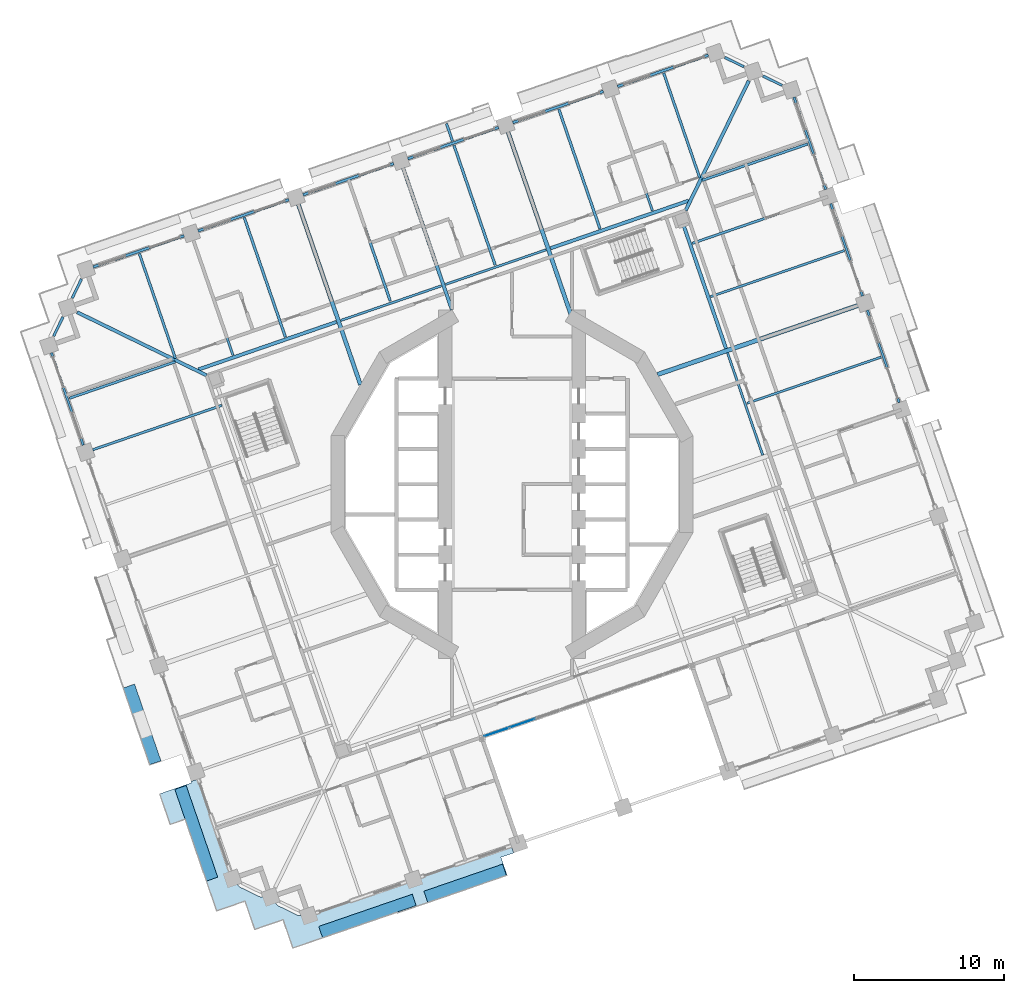
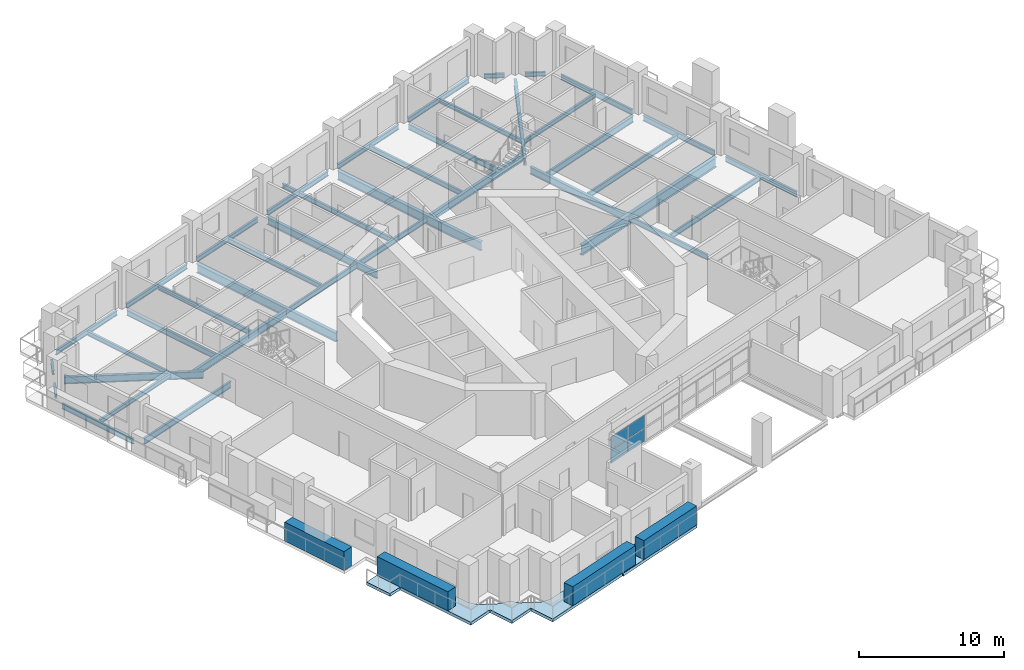
# One storey, part 6 of 22: 41 beams, 8 plates, 1 slab, 1 element without a shape of its own.
"""IFC4 building model written with IfcOpenShell, lengths in metres."""

from ifc_helpers import new_model, si_unit, direction, frame, origin, origin_2d, place, context, subcontext, project, spatial, polyline, rectangle, i_section, outline, extrude, material, layer, layer_set, material_profile, profile_set, type_object, element, aggregate, save


model = new_model("IFC4")

# Units and contexts
model_context = context("Model", 3, precision=1e-05, world=origin(), true_north=direction((0.0, 1.0)))
body_context = subcontext(model_context, "Body", "Model", "MODEL_VIEW")
ifc_project = project(units=[si_unit("LENGTHUNIT", "METRE"), si_unit("AREAUNIT", "SQUARE_METRE"), si_unit("VOLUMEUNIT", "CUBIC_METRE"), si_unit("PLANEANGLEUNIT", "RADIAN"), si_unit("MASSUNIT", "GRAM", prefix="KILO")], contexts=[model_context])

# Site, building, storey
site_placement = place(None, origin())
site = spatial("IfcSite", under=ifc_project, at=site_placement, CompositionType="ELEMENT")
building_placement = place(site_placement, origin())
building = spatial("IfcBuilding", under=site, at=building_placement, Name="Cantera Rosa Tower", CompositionType="ELEMENT")
storey_placement = place(building_placement, frame((0.0, 0.0, 104.10009765625)))
storey = spatial("IfcBuildingStorey", under=building, at=storey_placement, Name="L20", CompositionType="ELEMENT", Elevation=104.10009765625)

# Beams
ifc_material_1 = material(Name="Steel ASTM A992 (Fy 345 MPa)", Category="steel")
ifc_material_profile_1 = material_profile(ifc_material_1, i_section(OverallWidth=0.154052734375, OverallDepth=0.4599609375, WebThickness=0.009033203125, FlangeThickness=0.015380859375, FilletRadius=0.01025390625, at=origin_2d()), Name="W460X68")
ifc_profile_set_1 = profile_set([ifc_material_profile_1], Name="Steel ASTM A992 (Fy 345 MPa)")
beam_type_1 = type_object("IfcBeamType", Name="STEEL BEAM W460X68", PredefinedType="BEAM", material=ifc_profile_set_1)
for number, where, z_axis, x_axis, name in (
    (1, (6.7333984375, 25.903564453125, -0.47998046875), (0.325580085327, -0.945514467387, 0.0), (0.945514467387, 0.325580085327, 0.0), "G-Z2-05 L20"),
    (2, (-21.25390625, 16.2666015625, -0.47998046875), (0.325580085327, -0.945514467387, 0.0), (0.945514467387, 0.325580085327, 0.0), "G-Z2-09 L20"),
):
    element("IfcBeam", number, at=place(storey_placement, frame(where, z_axis=z_axis, x_axis=x_axis)), inside=storey, type_object=beam_type_1, Name=name, PredefinedType="BEAM", context=body_context, shape_type="SweptSolid", body=[
        extrude(i_section(OverallWidth=0.154052734375, OverallDepth=0.4599609375, WebThickness=0.009033203125, FlangeThickness=0.015380859375, FilletRadius=0.01025390625, at=origin_2d()), origin(), (0.0, 0.0, 1.0), 8.10009765625),
    ])
beam_1_placement = place(storey_placement, frame((-11.42919921875, 10.924072265625, -0.47998046875), z_axis=(0.945518325606, 0.32556888049, 0.0), x_axis=(-0.32556888049, 0.945518325606, 0.0)))
element("IfcBeam", 3, at=beam_1_placement, inside=storey, type_object=beam_type_1, Name="RB-Z2-02 L20", PredefinedType="BEAM", context=body_context, shape_type="SweptSolid", body=[
    extrude(i_section(OverallWidth=0.154052734375, OverallDepth=0.4599609375, WebThickness=0.009033203125, FlangeThickness=0.015380859375, FilletRadius=0.01025390625, at=origin_2d()), origin(), (0.0, 0.0, 1.0), 7.099853515625),
])
beam_2_placement = place(storey_placement, frame((-4.432373046875, 13.333251953125, -0.47998046875), z_axis=(0.945507740063, 0.325599621437, 0.0), x_axis=(-0.325599621437, 0.945507740063, 0.0)))
element("IfcBeam", 4, at=beam_2_placement, inside=storey, type_object=beam_type_1, Name="RB-Z2-03 L20", PredefinedType="BEAM", context=body_context, shape_type="SweptSolid", body=[
    extrude(i_section(OverallWidth=0.154052734375, OverallDepth=0.4599609375, WebThickness=0.009033203125, FlangeThickness=0.015380859375, FilletRadius=0.01025390625, at=origin_2d()), origin(), (0.0, 0.0, 1.0), 7.10009765625),
])
beam_3_placement = place(storey_placement, frame((16.72900390625, 1.9423828125, -0.47998046875), z_axis=(-0.325575881702, 0.94551591486, 0.0), x_axis=(-0.94551591486, -0.325575881702, 0.0)))
element("IfcBeam", 5, at=beam_3_placement, inside=storey, type_object=beam_type_1, Name="RB-Z2-10 L20", PredefinedType="BEAM", context=body_context, shape_type="SweptSolid", body=[
    extrude(i_section(OverallWidth=0.154052734375, OverallDepth=0.4599609375, WebThickness=0.009033203125, FlangeThickness=0.015380859375, FilletRadius=0.01025390625, at=origin_2d()), origin(), (0.0, 0.0, 1.0), 7.2197265625),
])
ifc_material_2 = material(Name="Steel ASTM A992 (Fy 345 MPa)", Category="steel")
ifc_material_profile_2 = material_profile(ifc_material_2, i_section(OverallWidth=0.166015625, OverallDepth=0.528076171875, WebThickness=0.009765625, FlangeThickness=0.013671875, FilletRadius=0.0126953125, at=origin_2d()), Name="W530X74")
ifc_profile_set_2 = profile_set([ifc_material_profile_2], Name="Steel ASTM A992 (Fy 345 MPa)")
beam_type_2 = type_object("IfcBeamType", Name="STEEL BEAM W530X74", PredefinedType="BEAM", material=ifc_profile_set_2)
for number, where, z_axis, x_axis, name in (
    (6, (20.62744140625, 19.032470703125, -0.51416015625), (-0.94551971591, -0.325564842737, 0.0), (0.325564842737, -0.94551971591, 0.0), "G-Z2-04 L20"),
    (7, (-27.97216796875, 2.29833984375, -0.51416015625), (0.94551971591, 0.325564842737, 0.0), (-0.325564842737, 0.94551971591, 0.0), "G-Z2-15 L20"),
):
    element("IfcBeam", number, at=place(storey_placement, frame(where, z_axis=z_axis, x_axis=x_axis)), inside=storey, type_object=beam_type_2, Name=name, PredefinedType="BEAM", context=body_context, shape_type="SweptSolid", body=[
        extrude(i_section(OverallWidth=0.166015625, OverallDepth=0.528076171875, WebThickness=0.009765625, FlangeThickness=0.013671875, FilletRadius=0.0126953125, at=origin_2d()), origin(), (0.0, 0.0, 1.0), 9.10009765625),
    ])
ifc_material_3 = material(Name="Steel ASTM A992 (Fy 345 MPa)", Category="steel")
ifc_material_profile_3 = material_profile(ifc_material_3, i_section(OverallWidth=0.22802734375, OverallDepth=0.60205078125, WebThickness=0.010498046875, FlangeThickness=0.014892578125, FilletRadius=0.0126953125, at=origin_2d()), Name="W610X101")
ifc_profile_set_3 = profile_set([ifc_material_profile_3], Name="Steel ASTM A992 (Fy 345 MPa)")
beam_type_3 = type_object("IfcBeamType", Name="STEEL BEAM W610X101", PredefinedType="BEAM", material=ifc_profile_set_3)
beam_4_placement = place(storey_placement, frame((15.7998046875, 26.909912109375, -0.551025390625), z_axis=(-0.438387618569, -0.898786012288, 0.0), x_axis=(0.898786012288, -0.438387618569, 0.0)))
element("IfcBeam", 8, at=beam_4_placement, inside=storey, type_object=beam_type_3, Name="CB-Z2-01 L20", PredefinedType="BEAM", context=body_context, shape_type="SweptSolid", body=[
    extrude(i_section(OverallWidth=0.22802734375, OverallDepth=0.60205078125, WebThickness=0.010498046875, FlangeThickness=0.014892578125, FilletRadius=0.0126953125, at=origin_2d()), origin(), (0.0, 0.0, 1.0), 9.61669921875),
])
beam_5_placement = place(storey_placement, frame((-29.017822265625, 11.47802734375, -0.551025390625), z_axis=(0.898796015179, -0.438367109965, 0.0), x_axis=(0.438367109965, 0.898796015179, 0.0)))
element("IfcBeam", 9, at=beam_5_placement, inside=storey, type_object=beam_type_3, Name="CB-Z2-02 L20", PredefinedType="BEAM", context=body_context, shape_type="SweptSolid", body=[
    extrude(i_section(OverallWidth=0.22802734375, OverallDepth=0.60205078125, WebThickness=0.010498046875, FlangeThickness=0.014892578125, FilletRadius=0.0126953125, at=origin_2d()), origin(), (0.0, 0.0, 1.0), 9.616455078125),
])
beam_6_placement = place(storey_placement, frame((-7.26025390625, 21.0849609375, -0.551025390625), z_axis=(0.325587365823, -0.945511960377, 0.0), x_axis=(0.945511960377, 0.325587365823, 0.0)))
element("IfcBeam", 10, at=beam_6_placement, inside=storey, type_object=beam_type_3, Name="G-Z2-07 L20", PredefinedType="BEAM", context=body_context, shape_type="SweptSolid", body=[
    extrude(i_section(OverallWidth=0.22802734375, OverallDepth=0.60205078125, WebThickness=0.010498046875, FlangeThickness=0.014892578125, FilletRadius=0.0126953125, at=origin_2d()), origin(), (0.0, 0.0, 1.0), 10.0),
])
beam_7_placement = place(storey_placement, frame((14.28076171875, 9.052490234375, -0.551025390625), z_axis=(-0.325559468466, 0.945521566381, 0.0), x_axis=(-0.945521566381, -0.325559468466, 0.0)))
element("IfcBeam", 11, at=beam_7_placement, inside=storey, type_object=beam_type_3, Name="RB-Z2-11 L20", PredefinedType="BEAM", context=body_context, shape_type="SweptSolid", body=[
    extrude(i_section(OverallWidth=0.22802734375, OverallDepth=0.60205078125, WebThickness=0.010498046875, FlangeThickness=0.014892578125, FilletRadius=0.0126953125, at=origin_2d()), origin(), (0.0, 0.0, 1.0), 8.68994140625),
])
ifc_material_4 = material(Name="Steel ASTM A992 (Fy 345 MPa)", Category="steel")
ifc_material_profile_4 = material_profile(ifc_material_4, i_section(OverallWidth=0.22900390625, OverallDepth=0.612060546875, WebThickness=0.011962890625, FlangeThickness=0.01953125, FilletRadius=0.0126953125, at=origin_2d()), Name="W610X125")
ifc_profile_set_4 = profile_set([ifc_material_profile_4], Name="Steel ASTM A992 (Fy 345 MPa)")
beam_type_4 = type_object("IfcBeamType", Name="STEEL BEAM W610X125", PredefinedType="BEAM", material=ifc_profile_set_4)
beam_8_placement = place(storey_placement, frame((-20.931640625, 7.652099609375, -0.55615234375), z_axis=(0.945517116269, 0.32557239263, 0.0), x_axis=(-0.32557239263, 0.945517116269, 0.0)))
element("IfcBeam", 12, at=beam_8_placement, inside=storey, type_object=beam_type_4, Name="RB-Z2-01 L20", PredefinedType="BEAM", context=body_context, shape_type="SweptSolid", body=[
    extrude(i_section(OverallWidth=0.22900390625, OverallDepth=0.612060546875, WebThickness=0.011962890625, FlangeThickness=0.01953125, FilletRadius=0.0126953125, at=origin_2d()), origin(), (0.0, 0.0, 1.0), 9.75),
])
beam_9_placement = place(storey_placement, frame((2.564453125, 15.74267578125, -0.55615234375), z_axis=(0.945524824291, 0.325550006372, 0.0), x_axis=(-0.325550006372, 0.945524824291, 0.0)))
element("IfcBeam", 13, at=beam_9_placement, inside=storey, type_object=beam_type_4, Name="RB-Z2-04 L20", PredefinedType="BEAM", context=body_context, shape_type="SweptSolid", body=[
    extrude(i_section(OverallWidth=0.22900390625, OverallDepth=0.612060546875, WebThickness=0.011962890625, FlangeThickness=0.01953125, FilletRadius=0.0126953125, at=origin_2d()), origin(), (0.0, 0.0, 1.0), 9.749755859375),
])
ifc_material_5 = material(Name="Steel ASTM A992 (Fy 345 MPa)", Category="steel")
ifc_material_profile_5 = material_profile(ifc_material_5, i_section(OverallWidth=0.26708984375, OverallDepth=0.75390625, WebThickness=0.01318359375, FlangeThickness=0.01708984375, FilletRadius=0.0166015625, at=origin_2d()), Name="W760X147")
ifc_profile_set_5 = profile_set([ifc_material_profile_5], Name="Steel ASTM A992 (Fy 345 MPa)")
beam_type_5 = type_object("IfcBeamType", Name="STEEL BEAM W760X147", PredefinedType="BEAM", material=ifc_profile_set_5)
beam_10_placement = place(storey_placement, frame((-0.263427734375, 23.494384765625, -0.627197265625), z_axis=(0.325569500581, -0.945518112091, 0.0), x_axis=(0.945518112091, 0.325569500581, 0.0)))
element("IfcBeam", 14, at=beam_10_placement, inside=storey, type_object=beam_type_5, Name="G-Z2-06 L20", PredefinedType="BEAM", context=body_context, shape_type="SweptSolid", body=[
    extrude(i_section(OverallWidth=0.26708984375, OverallDepth=0.75390625, WebThickness=0.01318359375, FlangeThickness=0.01708984375, FilletRadius=0.0166015625, at=origin_2d()), origin(), (0.0, 0.0, 1.0), 13.09521484375),
])
beam_11_placement = place(storey_placement, frame((-14.257080078125, 18.67578125, -0.627197265625), z_axis=(0.325575880476, -0.945515915282, 0.0), x_axis=(0.945515915282, 0.325575880476, 0.0)))
element("IfcBeam", 15, at=beam_11_placement, inside=storey, type_object=beam_type_5, Name="G-Z2-08 L20", PredefinedType="BEAM", context=body_context, shape_type="SweptSolid", body=[
    extrude(i_section(OverallWidth=0.26708984375, OverallDepth=0.75390625, WebThickness=0.01318359375, FlangeThickness=0.01708984375, FilletRadius=0.0166015625, at=origin_2d()), origin(), (0.0, 0.0, 1.0), 12.734375),
])
ifc_material_6 = material(Name="Steel ASTM A992 (Fy 345 MPa)", Category="steel")
ifc_material_profile_6 = material_profile(ifc_material_6, i_section(OverallWidth=0.2919921875, OverallDepth=0.8359375, WebThickness=0.013916015625, FlangeThickness=0.018798828125, FilletRadius=0.017822265625, at=origin_2d()), Name="W840X176")
ifc_profile_set_6 = profile_set([ifc_material_profile_6], Name="Steel ASTM A992 (Fy 345 MPa)")
beam_type_6 = type_object("IfcBeamType", Name="STEEL BEAM W840X176", PredefinedType="BEAM", material=ifc_profile_set_6)
beam_12_placement = place(storey_placement, frame((23.07568359375, 11.92236328125, -0.668212890625), z_axis=(-0.945516836256, -0.325573205833, 0.0), x_axis=(0.325573205833, -0.945516836256, 0.0)))
element("IfcBeam", 16, at=beam_12_placement, inside=storey, type_object=beam_type_6, Name="G-Z2-03 L20", PredefinedType="BEAM", context=body_context, shape_type="SweptSolid", body=[
    extrude(i_section(OverallWidth=0.2919921875, OverallDepth=0.8359375, WebThickness=0.013916015625, FlangeThickness=0.018798828125, FilletRadius=0.017822265625, at=origin_2d()), origin(), (0.0, 0.0, 1.0), 14.130615234375),
])
ifc_material_7 = material(Name="Steel ASTM A992 (Fy 345 MPa)", Category="steel")
ifc_material_profile_7 = material_profile(ifc_material_7, i_section(OverallWidth=0.1708984375, OverallDepth=0.35595703125, WebThickness=0.00732421875, FlangeThickness=0.01171875, FilletRadius=0.010009765625, at=origin_2d()), Name="W360X51")
ifc_profile_set_7 = profile_set([ifc_material_profile_7], Name="Steel ASTM A992 (Fy 345 MPa)")
beam_type_7 = type_object("IfcBeamType", Name="STEEL JOIST W360X51", PredefinedType="JOIST", material=ifc_profile_set_7)
beam_13_placement = place(storey_placement, frame((19.734130859375, 22.70166015625, -0.427978515625), z_axis=(-0.945518264054, -0.32556905925, 0.0), x_axis=(0.32556905925, -0.945518264054, 0.0)))
element("IfcBeam", 17, at=beam_13_placement, inside=storey, type_object=beam_type_7, Name="B-Z2-05 L20", PredefinedType="JOIST", context=body_context, shape_type="SweptSolid", body=[
    extrude(i_section(OverallWidth=0.1708984375, OverallDepth=0.35595703125, WebThickness=0.00732421875, FlangeThickness=0.01171875, FilletRadius=0.010009765625, at=origin_2d()), origin(), (0.0, 0.0, 1.0), 7.4599609375),
])
for number, where, z_axis, x_axis, name in (
    (18, (10.117919921875, 27.43896484375, -0.427978515625), (0.325565645331, -0.945519439557, 0.0), (0.945519439557, 0.325565645331, 0.0), "B-Z2-06 L20"),
    (19, (-24.8662109375, 15.39306640625, -0.427978515625), (0.325565645331, -0.945519439557, 0.0), (0.945519439557, 0.325565645331, 0.0), "B-Z2-11 L20"),
):
    element("IfcBeam", number, at=place(storey_placement, frame(where, z_axis=z_axis, x_axis=x_axis)), inside=storey, type_object=beam_type_7, Name=name, PredefinedType="JOIST", context=body_context, shape_type="SweptSolid", body=[
        extrude(i_section(OverallWidth=0.1708984375, OverallDepth=0.35595703125, WebThickness=0.00732421875, FlangeThickness=0.01171875, FilletRadius=0.010009765625, at=origin_2d()), origin(), (0.0, 0.0, 1.0), 7.39990234375),
    ])
beam_14_placement = place(storey_placement, frame((-29.52734375, 5.739501953125, -0.427978515625), z_axis=(0.945521732807, 0.325558985116, 0.0), x_axis=(-0.325558985116, 0.945521732807, 0.0)))
element("IfcBeam", 20, at=beam_14_placement, inside=storey, type_object=beam_type_7, Name="B-Z2-18 L20", PredefinedType="JOIST", context=body_context, shape_type="SweptSolid", body=[
    extrude(i_section(OverallWidth=0.1708984375, OverallDepth=0.35595703125, WebThickness=0.00732421875, FlangeThickness=0.01171875, FilletRadius=0.010009765625, at=origin_2d()), origin(), (0.0, 0.0, 1.0), 7.460205078125),
])
beam_15_placement = place(storey_placement, frame((-3.966796875, 22.88525390625, -0.427978515625), z_axis=(-0.325587365823, 0.945511960377, 0.0), x_axis=(-0.945511960377, -0.325587365823, 0.0)))
element("IfcBeam", 21, at=beam_15_placement, inside=storey, type_object=beam_type_7, Name="BS-Z2-01 L20", PredefinedType="JOIST", context=body_context, shape_type="SweptSolid", body=[
    extrude(i_section(OverallWidth=0.1708984375, OverallDepth=0.35595703125, WebThickness=0.00732421875, FlangeThickness=0.01171875, FilletRadius=0.010009765625, at=origin_2d()), origin(), (0.0, 0.0, 1.0), 1.25),
])
ifc_material_8 = material(Name="Steel ASTM A992 (Fy 345 MPa)", Category="steel")
ifc_material_profile_8 = material_profile(ifc_material_8, i_section(OverallWidth=0.177978515625, OverallDepth=0.406005859375, WebThickness=0.0078125, FlangeThickness=0.0126953125, FilletRadius=0.01025390625, at=origin_2d()), Name="W410X60")
ifc_profile_set_8 = profile_set([ifc_material_profile_8], Name="Steel ASTM A992 (Fy 345 MPa)")
beam_type_8 = type_object("IfcBeamType", Name="STEEL JOIST W410X60", PredefinedType="JOIST", material=ifc_profile_set_8)
beam_16_placement = place(storey_placement, frame((3.12109375, 25.02978515625, -0.453125), z_axis=(0.325565025235, -0.945519653071, 0.0), x_axis=(0.945519653071, 0.325565025235, 0.0)))
element("IfcBeam", 22, at=beam_16_placement, inside=storey, type_object=beam_type_8, Name="B-Z2-07 L20", PredefinedType="JOIST", context=body_context, shape_type="SweptSolid", body=[
    extrude(i_section(OverallWidth=0.177978515625, OverallDepth=0.406005859375, WebThickness=0.0078125, FlangeThickness=0.0126953125, FilletRadius=0.01025390625, at=origin_2d()), origin(), (0.0, 0.0, 1.0), 8.449951171875),
])
for number, where, z_axis, x_axis, name in (
    (23, (-3.875732421875, 22.62060546875, -0.453125), (0.325556131421, -0.945522715377, 0.0), (0.945522715377, 0.325556131421, 0.0), "B-Z2-08 L20"),
    (24, (-10.87255859375, 20.21142578125, -0.453125), (0.325556131421, -0.945522715377, 0.0), (0.945522715377, 0.325556131421, 0.0), "B-Z2-09 L20"),
    (25, (-17.869384765625, 17.80224609375, -0.453125), (0.325556131421, -0.945522715377, 0.0), (0.945522715377, 0.325556131421, 0.0), "B-Z2-10 L20"),
):
    element("IfcBeam", number, at=place(storey_placement, frame(where, z_axis=z_axis, x_axis=x_axis)), inside=storey, type_object=beam_type_8, Name=name, PredefinedType="JOIST", context=body_context, shape_type="SweptSolid", body=[
        extrude(i_section(OverallWidth=0.177978515625, OverallDepth=0.406005859375, WebThickness=0.0078125, FlangeThickness=0.0126953125, FilletRadius=0.01025390625, at=origin_2d()), origin(), (0.0, 0.0, 1.0), 8.4501953125),
    ])
ifc_material_9 = material(Name="Steel ASTM A992 (Fy 345 MPa)", Category="steel")
ifc_material_profile_9 = material_profile(ifc_material_9, i_section(OverallWidth=0.154052734375, OverallDepth=0.4599609375, WebThickness=0.009033203125, FlangeThickness=0.015380859375, FilletRadius=0.01025390625, at=origin_2d()), Name="W460X68")
ifc_profile_set_9 = profile_set([ifc_material_profile_9], Name="Steel ASTM A992 (Fy 345 MPa)")
beam_type_9 = type_object("IfcBeamType", Name="STEEL JOIST W460X68", PredefinedType="JOIST", material=ifc_profile_set_9)
beam_17_placement = place(storey_placement, frame((24.630859375, 8.48095703125, -0.47998046875), z_axis=(-0.945526896389, -0.325543988125, 0.0), x_axis=(0.325543988125, -0.945526896389, 0.0)))
element("IfcBeam", 26, at=beam_17_placement, inside=storey, type_object=beam_type_9, Name="B-Z2-03 L20", PredefinedType="JOIST", context=body_context, shape_type="SweptSolid", body=[
    extrude(i_section(OverallWidth=0.154052734375, OverallDepth=0.4599609375, WebThickness=0.009033203125, FlangeThickness=0.015380859375, FilletRadius=0.01025390625, at=origin_2d()), origin(), (0.0, 0.0, 1.0), 9.4501953125),
])
beam_18_placement = place(storey_placement, frame((22.182373046875, 15.59130859375, -0.47998046875), z_axis=(-0.94551620555, -0.325575037498, 0.0), x_axis=(0.325575037498, -0.94551620555, 0.0)))
element("IfcBeam", 27, at=beam_18_placement, inside=storey, type_object=beam_type_9, Name="B-Z2-04 L20", PredefinedType="JOIST", context=body_context, shape_type="SweptSolid", body=[
    extrude(i_section(OverallWidth=0.154052734375, OverallDepth=0.4599609375, WebThickness=0.009033203125, FlangeThickness=0.015380859375, FilletRadius=0.01025390625, at=origin_2d()), origin(), (0.0, 0.0, 1.0), 9.449951171875),
])
ifc_material_10 = material(Name="Steel ASTM A992 (Fy 345 MPa)", Category="steel")
ifc_material_profile_10 = material_profile(ifc_material_10, i_section(OverallWidth=0.1708984375, OverallDepth=0.35595703125, WebThickness=0.00732421875, FlangeThickness=0.01171875, FilletRadius=0.010009765625, at=origin_2d()), Name="W360X51")
ifc_profile_set_10 = profile_set([ifc_material_profile_10], Name="Steel ASTM A992 (Fy 345 MPa)")
beam_type_10 = type_object("IfcBeamType", Name="STEEL SPANDREL BEAM W360X51", PredefinedType="SPANDREL", material=ifc_profile_set_10)
for number, where, z_axis, x_axis, name in (
    (28, (18.016357421875, 26.61572265625, -0.427978515625), (-0.898803287583, 0.438352198842, 0.0), (-0.438352198842, -0.898803287583, 0.0), "EB-Z2-06 L20"),
    (29, (15.47412109375, 27.85546875, -0.427978515625), (-0.898803287583, 0.438352198842, 0.0), (-0.438352198842, -0.898803287583, 0.0), "EB-Z2-07 L20"),
):
    element("IfcBeam", number, at=place(storey_placement, frame(where, z_axis=z_axis, x_axis=x_axis)), inside=storey, type_object=beam_type_10, Name=name, PredefinedType="SPANDREL", context=body_context, shape_type="SweptSolid", body=[
        extrude(i_section(OverallWidth=0.1708984375, OverallDepth=0.35595703125, WebThickness=0.00732421875, FlangeThickness=0.01171875, FilletRadius=0.010009765625, at=origin_2d()), origin(), (0.0, 0.0, 1.0), 1.4140625),
    ])
for number, where, z_axis, x_axis, name in (
    (30, (-28.723388671875, 13.694580078125, -0.427978515625), (-0.438491655897, -0.898735260079, 0.0), (0.898735260079, -0.438491655897, 0.0), "EB-Z2-14 L20"),
    (31, (-29.96337890625, 11.152587890625, -0.427978515625), (-0.438284186308, -0.898836454552, 0.0), (0.898836454552, -0.438284186308, 0.0), "EB-Z2-15 L20"),
):
    element("IfcBeam", number, at=place(storey_placement, frame(where, z_axis=z_axis, x_axis=x_axis)), inside=storey, type_object=beam_type_10, Name=name, PredefinedType="SPANDREL", context=body_context, shape_type="SweptSolid", body=[
        extrude(i_section(OverallWidth=0.1708984375, OverallDepth=0.35595703125, WebThickness=0.00732421875, FlangeThickness=0.01171875, FilletRadius=0.010009765625, at=origin_2d()), origin(), (0.0, 0.0, 1.0), 1.414306640625),
    ])
ifc_material_11 = material(Name="Steel ASTM A992 (Fy 345 MPa)", Category="steel")
ifc_material_profile_11 = material_profile(ifc_material_11, i_section(OverallWidth=0.177978515625, OverallDepth=0.406005859375, WebThickness=0.0078125, FlangeThickness=0.0126953125, FilletRadius=0.01025390625, at=origin_2d()), Name="W410X60")
ifc_profile_set_11 = profile_set([ifc_material_profile_11], Name="Steel ASTM A992 (Fy 345 MPa)")
beam_type_11 = type_object("IfcBeamType", Name="STEEL SPANDREL BEAM W410X60", PredefinedType="SPANDREL", material=ifc_profile_set_11)
for number, where, z_axis, x_axis, name in (
    (32, (13.0947265625, 28.62255859375, -0.453125), (-0.945524496524, -0.325550958337, 0.0), (0.325550958337, -0.945524496524, 0.0), "EB-Z2-08 L20"),
    (33, (6.097900390625, 26.21337890625, -0.453125), (-0.945524496524, -0.325550958337, 0.0), (0.325550958337, -0.945524496524, 0.0), "EB-Z2-09 L20"),
    (34, (-0.89892578125, 23.80419921875, -0.453125), (-0.945524496524, -0.325550958337, 0.0), (0.325550958337, -0.945524496524, 0.0), "EB-Z2-10 L20"),
    (35, (-7.895751953125, 21.39501953125, -0.453125), (-0.945524496524, -0.325550958337, 0.0), (0.325550958337, -0.945524496524, 0.0), "EB-Z2-11 L20"),
    (36, (-14.892578125, 18.98583984375, -0.453125), (-0.945512753621, -0.325585062219, 0.0), (0.325585062219, -0.945512753621, 0.0), "EB-Z2-12 L20"),
    (37, (-21.889404296875, 16.57666015625, -0.453125), (-0.945512753621, -0.325585062219, 0.0), (0.325585062219, -0.945512753621, 0.0), "EB-Z2-13 L20"),
):
    element("IfcBeam", number, at=place(storey_placement, frame(where, z_axis=z_axis, x_axis=x_axis)), inside=storey, type_object=beam_type_11, Name=name, PredefinedType="SPANDREL", context=body_context, shape_type="SweptSolid", body=[
        extrude(i_section(OverallWidth=0.177978515625, OverallDepth=0.406005859375, WebThickness=0.0078125, FlangeThickness=0.0126953125, FilletRadius=0.01025390625, at=origin_2d()), origin(), (0.0, 0.0, 1.0), 6.39990234375),
    ])
ifc_material_12 = material(Name="Steel ASTM A992 (Fy 345 MPa)", Category="steel")
ifc_material_profile_12 = material_profile(ifc_material_12, i_section(OverallWidth=0.154052734375, OverallDepth=0.4599609375, WebThickness=0.009033203125, FlangeThickness=0.015380859375, FilletRadius=0.01025390625, at=origin_2d()), Name="W460X68")
ifc_profile_set_12 = profile_set([ifc_material_profile_12], Name="Steel ASTM A992 (Fy 345 MPa)")
beam_type_12 = type_object("IfcBeamType", Name="STEEL SPANDREL BEAM W460X68", PredefinedType="SPANDREL", material=ifc_profile_set_12)
for number, where, z_axis, x_axis, name in (
    (38, (25.833984375, 5.447509765625, -0.47998046875), (-0.325580990241, 0.945514155787, 0.0), (-0.945514155787, -0.325580990241, 0.0), "EB-Z2-03 L20"),
    (39, (23.3857421875, 12.557861328125, -0.47998046875), (-0.325580990241, 0.945514155787, 0.0), (-0.945514155787, -0.325580990241, 0.0), "EB-Z2-04 L20"),
):
    element("IfcBeam", number, at=place(storey_placement, frame(where, z_axis=z_axis, x_axis=x_axis)), inside=storey, type_object=beam_type_12, Name=name, PredefinedType="SPANDREL", context=body_context, shape_type="SweptSolid", body=[
        extrude(i_section(OverallWidth=0.154052734375, OverallDepth=0.4599609375, WebThickness=0.009033203125, FlangeThickness=0.015380859375, FilletRadius=0.01025390625, at=origin_2d()), origin(), (0.0, 0.0, 1.0), 6.52001953125),
    ])
beam_19_placement = place(storey_placement, frame((20.9375, 19.668212890625, -0.47998046875), z_axis=(-0.325592517631, 0.945510186335, 0.0), x_axis=(-0.945510186335, -0.325592517631, 0.0)))
element("IfcBeam", 40, at=beam_19_placement, inside=storey, type_object=beam_type_12, Name="EB-Z2-05 L20", PredefinedType="SPANDREL", context=body_context, shape_type="SweptSolid", body=[
    extrude(i_section(OverallWidth=0.154052734375, OverallDepth=0.4599609375, WebThickness=0.009033203125, FlangeThickness=0.015380859375, FilletRadius=0.01025390625, at=origin_2d()), origin(), (0.0, 0.0, 1.0), 6.519775390625),
])
beam_20_placement = place(storey_placement, frame((-30.73046875, 8.773193359375, -0.47998046875), z_axis=(0.325580990241, -0.945514155787, 0.0), x_axis=(0.945514155787, 0.325580990241, 0.0)))
element("IfcBeam", 41, at=beam_20_placement, inside=storey, type_object=beam_type_12, Name="EB-Z2-16 L20", PredefinedType="SPANDREL", context=body_context, shape_type="SweptSolid", body=[
    extrude(i_section(OverallWidth=0.154052734375, OverallDepth=0.4599609375, WebThickness=0.009033203125, FlangeThickness=0.015380859375, FilletRadius=0.01025390625, at=origin_2d()), origin(), (0.0, 0.0, 1.0), 6.52001953125),
])

# Curtain wall, plates
ifc_material_13 = material(Name="Aluminium frame with clear glass", Category="aluminium")
curtain_wall_type = type_object("IfcCurtainWallType", Name="CW1 TERRACE POCKET GLAZING", PredefinedType="NOTDEFINED", material=ifc_material_13)
curtain_wall_placement = place(storey_placement, origin())
curtain_wall = element("IfcCurtainWall", 42, at=curtain_wall_placement, inside=storey, type_object=curtain_wall_type, Name="CW1 CW1", PredefinedType="NOTDEFINED")
ifc_material_14 = material(Name="Aluminium frame with clear glass", Category="aluminium")
ifc_layer_1 = layer(ifc_material_14, 0.028076171875)
ifc_layer_set_1 = layer_set([ifc_layer_1], Name="CW-PANEL POCKET")
plate_type_1 = type_object("IfcPlateType", Name="CW-PANEL POCKET", PredefinedType="CURTAIN_PANEL", material=ifc_layer_set_1)
plate_1_placement = place(storey_placement, frame((-1.0234375, -16.533935546875, 0.059814453125), z_axis=(0.0, 0.0, 1.0), x_axis=(0.945518575605, 0.325568154441, 0.0)))
plate_1 = element("IfcPlate", 43, at=plate_1_placement, type_object=plate_type_1, Name="CW1 panel 1.1", PredefinedType="CURTAIN_PANEL", context=body_context, shape_type="SweptSolid", body=[
    extrude(rectangle(XDim=1.728759765625, YDim=0.028076171875, at=origin_2d()), origin(), (0.0, 0.0, 1.0), 1.0791015625),
])
plate_2_placement = place(storey_placement, frame((-1.0234375, -16.533935546875, 1.19873046875), z_axis=(0.0, 0.0, 1.0), x_axis=(0.945518575605, 0.325568154441, 0.0)))
plate_2 = element("IfcPlate", 44, at=plate_2_placement, type_object=plate_type_1, Name="CW1 panel 1.2", PredefinedType="CURTAIN_PANEL", context=body_context, shape_type="SweptSolid", body=[
    extrude(rectangle(XDim=1.728759765625, YDim=0.028076171875, at=origin_2d()), origin(), (0.0, 0.0, 1.0), 1.0791015625),
])
plate_3_placement = place(storey_placement, frame((0.68212890625, -15.94677734375, 0.059814453125), z_axis=(0.0, 0.0, 1.0), x_axis=(0.945518575605, 0.325568154441, 0.0)))
plate_3 = element("IfcPlate", 45, at=plate_3_placement, type_object=plate_type_1, Name="CW1 panel 2.1", PredefinedType="CURTAIN_PANEL", context=body_context, shape_type="SweptSolid", body=[
    extrude(rectangle(XDim=1.7587890625, YDim=0.028076171875, at=origin_2d()), origin(), (0.0, 0.0, 1.0), 1.0791015625),
])
plate_4_placement = place(storey_placement, frame((0.68212890625, -15.94677734375, 1.19873046875), z_axis=(0.0, 0.0, 1.0), x_axis=(0.945518575605, 0.325568154441, 0.0)))
plate_4 = element("IfcPlate", 46, at=plate_4_placement, type_object=plate_type_1, Name="CW1 panel 2.2", PredefinedType="CURTAIN_PANEL", context=body_context, shape_type="SweptSolid", body=[
    extrude(rectangle(XDim=1.7587890625, YDim=0.028076171875, at=origin_2d()), origin(), (0.0, 0.0, 1.0), 1.0791015625),
])
aggregate(curtain_wall, [plate_1, plate_2, plate_3, plate_4])

# Slab
ifc_material_15 = material(Name="Concrete C35/45", Category="concrete")
ifc_layer_2 = layer(ifc_material_15, 0.25)
ifc_layer_set_2 = layer_set([ifc_layer_2], Name="LOGGIA SLAB 250 C35/45")
slab_type = type_object("IfcSlabType", Name="LOGGIA SLAB 250 C35/45", PredefinedType="FLOOR", material=ifc_layer_set_2)
slab_placement = place(storey_placement, frame((0.0, 0.0, -0.25)))
element("IfcSlab", 47, at=slab_placement, inside=storey, type_object=slab_type, Name="LOGGIA SLAB L20 3", PredefinedType="FLOOR", context=body_context, shape_type="SweptSolid", body=[
    extrude(outline(polyline([(-13.01416015625, -30.392822265625), (-14.62158203125, -30.9462890625), (-15.1748046875, -29.3388671875), (-15.272705078125, -29.05517578125), (-15.556396484375, -29.15283203125), (-17.16357421875, -29.706298828125), (-17.717041015625, -28.09912109375), (-17.814697265625, -27.815185546875), (-18.098388671875, -27.9130859375), (-19.705810546875, -28.466552734375), (-20.25927734375, -26.859130859375), (-21.81103515625, -22.352783203125), (-22.8076171875, -22.69580078125), (-23.5087890625, -20.6591796875), (-21.377685546875, -19.92529296875), (-21.41015625, -19.830810546875), (-20.9375, -19.668212890625), (-18.948974609375, -25.443115234375), (-18.65185546875, -26.3056640625), (-18.240966796875, -26.814453125), (-18.220458984375, -26.83544921875), (-18.197998046875, -26.8544921875), (-18.173583984375, -26.87109375), (-18.14794921875, -26.88525390625), (-16.876708984375, -27.505126953125), (-16.849609375, -27.516845703125), (-16.82177734375, -27.525634765625), (-16.79296875, -27.53173828125), (-16.763671875, -27.534912109375), (-16.109619140625, -27.54541015625), (-15.698974609375, -28.05419921875), (-15.67822265625, -28.075439453125), (-15.65576171875, -28.09423828125), (-15.631591796875, -28.111083984375), (-15.605712890625, -28.125), (-14.334716796875, -28.7451171875), (-14.3076171875, -28.756591796875), (-14.279541015625, -28.765625), (-14.250732421875, -28.771728515625), (-14.221435546875, -28.77490234375), (-13.567626953125, -28.785400390625), (-0.046630859375, -24.1298828125), (0.1162109375, -24.6025390625), (-0.73486328125, -24.8955078125), (-0.32421875, -26.08837890625), (-7.66259765625, -28.615234375), (-7.6826171875, -28.55712890625), (-13.01416015625, -30.392822265625)])), origin(), (0.0, 0.0, 1.0), 0.25),
])

# Plates
ifc_material_16 = material(Name="Cantera stone planter with soil", Category="masonry")
plate_type_2 = type_object("IfcPlateType", Name="PLANTER 800", PredefinedType="USERDEFINED", material=ifc_material_16)
plate_5_placement = place(storey_placement, frame((-24.68017578125, -16.0283203125, -0.000244140625), z_axis=(0.0, 0.0, 1.0), x_axis=(0.325568154457, -0.945518575599, 0.0)))
element("IfcPlate", 48, at=plate_5_placement, inside=storey, type_object=plate_type_2, Name="PLANTER L20-15", ObjectType="PLANTER", PredefinedType="USERDEFINED", context=body_context, shape_type="SweptSolid", body=[
    extrude(rectangle(XDim=5.419921875, YDim=0.800048828125, at=origin_2d()), origin(), (0.0, 0.0, 1.0), 1.60009765625),
])
plate_6_placement = place(storey_placement, frame((-21.064453125, -23.2919921875, -0.000244140625), z_axis=(0.0, 0.0, 1.0), x_axis=(0.325568154457, -0.945518575599, 0.0)))
element("IfcPlate", 49, at=plate_6_placement, inside=storey, type_object=plate_type_2, Name="PLANTER L20-16", ObjectType="PLANTER", PredefinedType="USERDEFINED", context=body_context, shape_type="SweptSolid", body=[
    extrude(rectangle(XDim=6.469970703125, YDim=0.800048828125, at=origin_2d()), origin(), (0.0, 0.0, 1.0), 1.60009765625),
])
plate_7_placement = place(storey_placement, frame((-9.64599609375, -28.81005859375, -0.000244140625), z_axis=(0.0, 0.0, 1.0), x_axis=(0.945518575599, 0.325568154457, 0.0)))
element("IfcPlate", 50, at=plate_7_placement, inside=storey, type_object=plate_type_2, Name="PLANTER L20-17", ObjectType="PLANTER", PredefinedType="USERDEFINED", context=body_context, shape_type="SweptSolid", body=[
    extrude(rectangle(XDim=6.60009765625, YDim=0.800048828125, at=origin_2d()), origin(), (0.0, 0.0, 1.0), 1.60009765625),
])
plate_8_placement = place(storey_placement, frame((-3.12548828125, -26.6298828125, -0.000244140625), z_axis=(0.0, 0.0, 1.0), x_axis=(0.945518575599, 0.325568154457, 0.0)))
element("IfcPlate", 51, at=plate_8_placement, inside=storey, type_object=plate_type_2, Name="PLANTER L20-18", ObjectType="PLANTER", PredefinedType="USERDEFINED", context=body_context, shape_type="SweptSolid", body=[
    extrude(rectangle(XDim=5.550048828125, YDim=0.800048828125, at=origin_2d()), origin(), (0.0, 0.0, 1.0), 1.60009765625),
])

save(model, "model.ifc")
